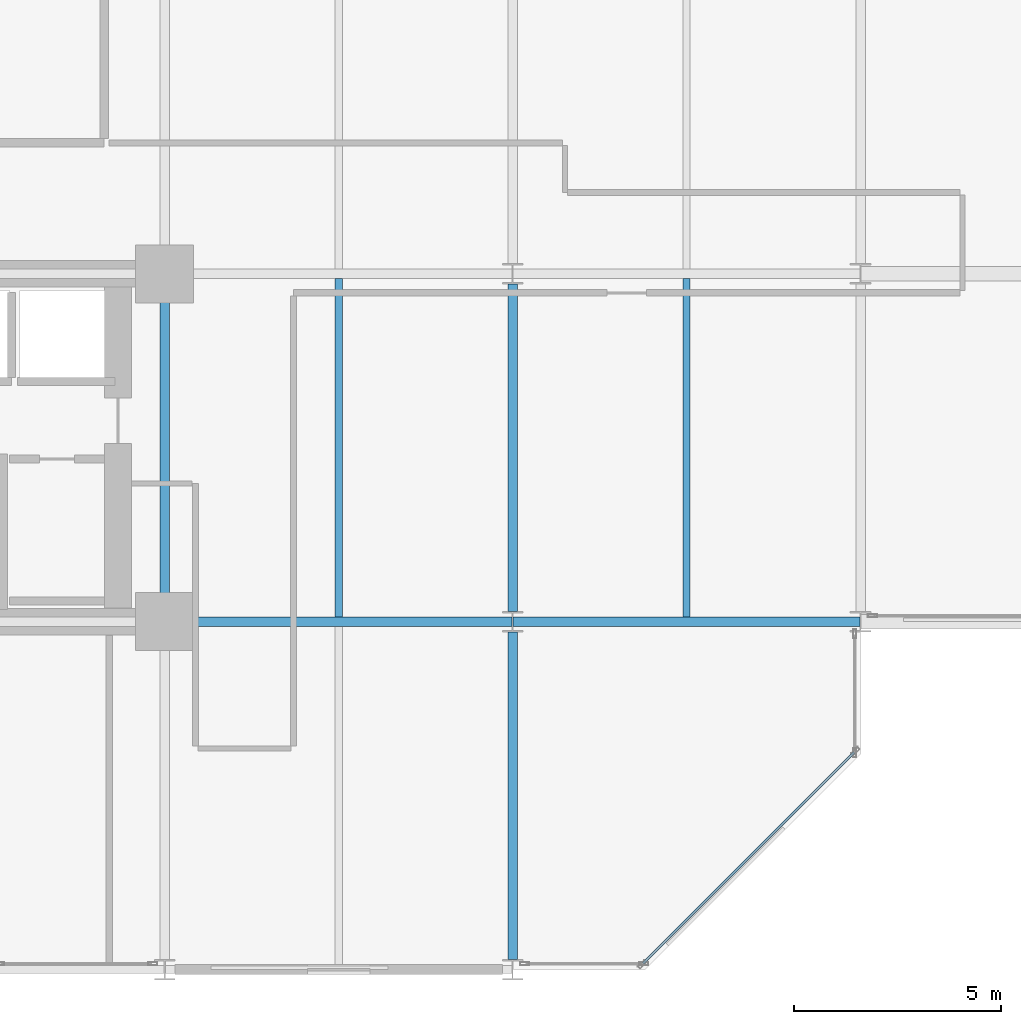
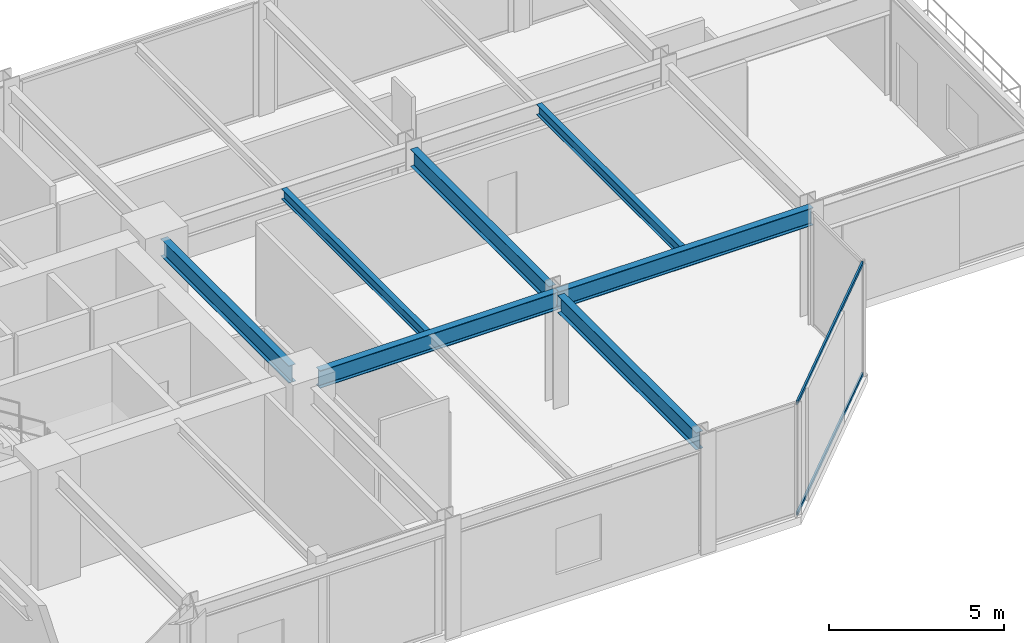
# One storey, part 12 of 26: 7 beams, 2 members, 1 element without a shape of its own.
"""IFC4 building model written with IfcOpenShell, lengths in metres."""

import ifcopenshell
import ifcopenshell.guid

model = None  # the IFC model being written
_history = None  # IfcOwnerHistory: only IFC2X3 demands one
_inside = {}  # id of a spatial element -> (the spatial element, [elements in it])
_under = {}  # id of a project, library or spatial element -> (it, [spatial elements below it])
_declared = {}  # id of a project -> (the project, [libraries it declares])
_typed = {}  # id of a type object -> (the type object, [elements of that type])
_made_of = {}  # id of a material, layer set ... -> (it, [elements and type objects made of it])


def new_model(schema):
    """Start an empty IFC model of exactly this schema.

    Asked for "IFC4X3", IfcOpenShell would pick the latest addendum, in which some entities
    have other attributes; the version numbers below select the first issue.
    IFC2X3 requires an IfcOwnerHistory on every rooted entity: one is made here for all.
    """
    global model, _history
    if schema == "IFC4X3":
        model = ifcopenshell.file(schema_version=(4, 3, 0, 0))
    else:
        model = ifcopenshell.file(schema=schema)
    _inside.clear()
    _under.clear()
    _declared.clear()
    _typed.clear()
    _made_of.clear()
    _history = None
    if model.schema == "IFC2X3":
        org = make("IfcOrganization", Name="unknown")
        user = make(
            "IfcPersonAndOrganization",
            ThePerson=make("IfcPerson", FamilyName="unknown"),
            TheOrganization=org,
        )
        app = make(
            "IfcApplication",
            ApplicationDeveloper=org,
            Version="unknown",
            ApplicationFullName="unknown",
            ApplicationIdentifier="unknown",
        )
        _history = make(
            "IfcOwnerHistory",
            OwningUser=user,
            OwningApplication=app,
            ChangeAction="ADDED",
            CreationDate=0,
        )
    return model


def make(cls, **values):
    """One entity of the class cls with the attributes given. An attribute that is None is left unset."""
    return model.create_entity(
        cls, **{name: value for name, value in values.items() if value is not None}
    )


def rooted(cls, **values):
    """An entity with a GlobalId (a new one), such as an element, a storey or a relation."""
    return make(cls, GlobalId=ifcopenshell.guid.new(), OwnerHistory=_history, **values)


def si_unit(unit_type, name, prefix=None):
    """IfcSIUnit, for example si_unit("LENGTHUNIT", "METRE", prefix="MILLI")."""
    return make("IfcSIUnit", UnitType=unit_type, Prefix=prefix, Name=name)


def assignment(units):
    """IfcUnitAssignment: the units of a project."""
    return None if units is None else make("IfcUnitAssignment", Units=units)


def point(xyz):
    """IfcCartesianPoint."""
    return None if xyz is None else make("IfcCartesianPoint", Coordinates=xyz)


def direction(xyz):
    """IfcDirection."""
    return None if xyz is None else make("IfcDirection", DirectionRatios=xyz)


def frame(location, z_axis=None, x_axis=None):
    """IfcAxis2Placement3D, a coordinate frame: its origin and axes. An axis left out is left unset."""
    return make(
        "IfcAxis2Placement3D",
        Location=point(location),
        Axis=direction(z_axis),
        RefDirection=direction(x_axis),
    )


def frame_2d(location, x_axis=None):
    """IfcAxis2Placement2D, a coordinate frame in the plane: its origin and x axis."""
    return make(
        "IfcAxis2Placement2D", Location=point(location), RefDirection=direction(x_axis)
    )


def origin():
    """The frame at (0, 0, 0) with its axes left unset."""
    return frame((0.0, 0.0, 0.0))


def origin_2d():
    """The frame at (0, 0) in the plane with its x axis left unset."""
    return frame_2d((0.0, 0.0))


def place(relative_to, where):
    """IfcLocalPlacement: puts the frame where relative to a parent placement (None: the world)."""
    return make(
        "IfcLocalPlacement", PlacementRelTo=relative_to, RelativePlacement=where
    )


def context(
    kind, dimensions, precision=None, world=None, true_north=None, identifier=None
):
    """IfcGeometricRepresentationContext, for example the 3D "Model" context."""
    return make(
        "IfcGeometricRepresentationContext",
        ContextIdentifier=identifier,
        ContextType=kind,
        CoordinateSpaceDimension=dimensions,
        Precision=precision,
        WorldCoordinateSystem=world,
        TrueNorth=true_north,
    )


def subcontext(parent, identifier, kind, view, scale=None):
    """IfcGeometricRepresentationSubContext, for example "Body" below "Model"."""
    return make(
        "IfcGeometricRepresentationSubContext",
        ContextIdentifier=identifier,
        ContextType=kind,
        ParentContext=parent,
        TargetScale=scale,
        TargetView=view,
    )


def project(units=None, contexts=None):
    """IfcProject with its units and contexts."""
    return rooted(
        "IfcProject",
        Name="project",
        RepresentationContexts=contexts,
        UnitsInContext=assignment(units),
    )


def spatial(cls, under=None, at=None, **own):
    """A site, building, storey or space (cls), placed at a placement, below another one or the project."""
    s = rooted(cls, ObjectPlacement=at, **own)
    if under is not None:
        _under.setdefault(under.id(), (under, []))[1].append(s)
    return s


def profile(cls, at=None, kind="AREA", **sizes):
    """A parametric profile (cls). Its sizes go by their IFC names, for example OverallWidth=200.0."""
    return make(cls, ProfileType=kind, Position=at, **sizes)


def hollow_rectangle(**sizes):
    """IfcRectangleHollowProfileDef."""
    return profile("IfcRectangleHollowProfileDef", **sizes)


def i_section(**sizes):
    """IfcIShapeProfileDef."""
    return profile("IfcIShapeProfileDef", **sizes)


def extrude(swept, where, along, depth):
    """IfcExtrudedAreaSolid: the profile swept, set in the frame where, extruded along a direction by depth."""
    return make(
        "IfcExtrudedAreaSolid",
        SweptArea=swept,
        Position=where,
        ExtrudedDirection=direction(along),
        Depth=depth,
    )


def shape(context_of_items, identifier, shape_type, items):
    """IfcShapeRepresentation: the items that make up one representation, for example the "Body"."""
    return make(
        "IfcShapeRepresentation",
        ContextOfItems=context_of_items,
        RepresentationIdentifier=identifier,
        RepresentationType=shape_type,
        Items=items,
    )


def material(Name=None, Category=None):
    """IfcMaterial."""
    return make("IfcMaterial", Name=Name, Category=Category)


def layer(
    of_material, thickness, ventilated=None, Name=None, Category=None, Priority=None
):
    """IfcMaterialLayer: one layer of a wall or slab, of a material (None: an air gap)."""
    return make(
        "IfcMaterialLayer",
        Material=of_material,
        LayerThickness=thickness,
        IsVentilated=ventilated,
        Name=Name,
        Category=Category,
        Priority=Priority,
    )


def layer_set(layers, Name=None):
    """IfcMaterialLayerSet."""
    return make("IfcMaterialLayerSet", MaterialLayers=layers, LayerSetName=Name)


def material_profile(
    of_material, cross_section, Name=None, Category=None, Priority=None
):
    """IfcMaterialProfile: a cross section and its material."""
    return make(
        "IfcMaterialProfile",
        Name=Name,
        Material=of_material,
        Profile=cross_section,
        Priority=Priority,
        Category=Category,
    )


def profile_set(profiles, Name=None, composite=None):
    """IfcMaterialProfileSet."""
    return make(
        "IfcMaterialProfileSet",
        Name=Name,
        MaterialProfiles=profiles,
        CompositeProfile=composite,
    )


def made_of(thing, what):
    """Note that an element or type object is made of a material, layer set ...; save() writes the relation."""
    if what is not None:
        _made_of.setdefault(what.id(), (what, []))[1].append(thing)
    return thing


def type_object(cls, material=None, **own):
    """A type object (cls), such as IfcWallType, which elements share."""
    return made_of(rooted(cls, **own), material)


def element(
    cls,
    number,
    at=None,
    inside=None,
    cuts=None,
    type_object=None,
    material=None,
    context=None,
    identifier="Body",
    shape_type=None,
    held_by="IfcProductDefinitionShape",
    body=None,
    shapes=None,
    **own,
):
    """One element of the class cls, such as IfcWall. Its Tag is "e" and its number.

    at: its placement. inside: the storey or other place that contains it. cuts: it is an
    opening in that element (IfcRelVoidsElement). A single representation is given by context,
    identifier, shape_type and body (its items); several are given by shapes. held_by: the class
    of the entity that holds the representations. save() writes the other relations.
    """
    e = rooted(cls, Tag="e%d" % number, ObjectPlacement=at, **own)
    if body is not None:
        shapes = [shape(context, identifier, shape_type, body)]
    if shapes is not None:
        e.Representation = make(held_by, Representations=shapes)
    if inside is not None:
        _inside.setdefault(inside.id(), (inside, []))[1].append(e)
    if cuts is not None:
        rooted(
            "IfcRelVoidsElement", RelatingBuildingElement=cuts, RelatedOpeningElement=e
        )
    if type_object is not None:
        _typed.setdefault(type_object.id(), (type_object, []))[1].append(e)
    return made_of(e, material)


def aggregate(whole, parts):
    """IfcRelAggregates: a whole, such as a stair, and the parts it consists of."""
    return rooted("IfcRelAggregates", RelatingObject=whole, RelatedObjects=parts)


def save(model, path):
    """Write the relations noted so far, then the file.

    IfcRelAggregates (storeys below a building ...), IfcRelContainedInSpatialStructure (elements
    in a storey), IfcRelDefinesByType, IfcRelAssociatesMaterial and IfcRelDeclares: one each for
    every whole, place, type object, material and project.
    """
    for whole, parts in _under.values():
        aggregate(whole, parts)
    for where, things in _inside.values():
        rooted(
            "IfcRelContainedInSpatialStructure",
            RelatedElements=things,
            RelatingStructure=where,
        )
    for kind, things in _typed.values():
        rooted("IfcRelDefinesByType", RelatedObjects=things, RelatingType=kind)
    for what, things in _made_of.values():
        rooted("IfcRelAssociatesMaterial", RelatedObjects=things, RelatingMaterial=what)
    for by, libraries in _declared.values():
        rooted("IfcRelDeclares", RelatingContext=by, RelatedDefinitions=libraries)
    model.write(path)


model = new_model("IFC4")

# Units and contexts
model_context = context("Model", 3, precision=1e-05, world=origin(), true_north=direction((0.0, 1.0)))
body_context = subcontext(model_context, "Body", "Model", "MODEL_VIEW")
ifc_project = project(units=[si_unit("LENGTHUNIT", "METRE"), si_unit("AREAUNIT", "SQUARE_METRE"), si_unit("VOLUMEUNIT", "CUBIC_METRE"), si_unit("PLANEANGLEUNIT", "RADIAN"), si_unit("MASSUNIT", "GRAM", prefix="KILO")], contexts=[model_context])

# Site, building, storey
site_placement = place(None, origin())
site = spatial("IfcSite", under=ifc_project, at=site_placement, CompositionType="ELEMENT")
building_placement = place(site_placement, origin())
building = spatial("IfcBuilding", under=site, at=building_placement, Name="Nerrivon Quay Data Exchange", CompositionType="ELEMENT")
storey_placement = place(building_placement, frame((0.0, 0.0, 71.0)))
storey = spatial("IfcBuildingStorey", under=building, at=storey_placement, Name="L16", CompositionType="ELEMENT", Elevation=71.0)

# Beams
ifc_material_1 = material(Name="Steel Grade 350", Category="steel")
ifc_material_profile_1 = material_profile(ifc_material_1, i_section(OverallWidth=0.22900390625, OverallDepth=0.612060546875, WebThickness=0.011962890625, FlangeThickness=0.01953125, FilletRadius=0.013916015625, at=origin_2d()), Name="610UB125")
ifc_profile_set_1 = profile_set([ifc_material_profile_1], Name="Steel Grade 350")
beam_type_1 = type_object("IfcBeamType", Name="BM-G1-610UB125", PredefinedType="BEAM", material=ifc_profile_set_1)
beam_1_placement = place(storey_placement, frame((34.139892578125, 8.39990234375, 3.618896484375), z_axis=(1.0, 0.0, 0.0), x_axis=(0.0, 1.0, 0.0)))
element("IfcBeam", 1, at=beam_1_placement, inside=storey, type_object=beam_type_1, Name="L16 EW Girder Y=8.4 (33.6..42.0)", PredefinedType="BEAM", context=body_context, shape_type="SweptSolid", body=[
    extrude(i_section(OverallWidth=0.22900390625, OverallDepth=0.612060546875, WebThickness=0.011962890625, FlangeThickness=0.01953125, FilletRadius=0.013916015625, at=origin_2d()), origin(), (0.0, 0.0, 1.0), 7.84619140625),
])
beam_2_placement = place(storey_placement, frame((42.013916015625, 8.39990234375, 3.618896484375), z_axis=(1.0, 0.0, 0.0), x_axis=(0.0, 1.0, 0.0)))
element("IfcBeam", 2, at=beam_2_placement, inside=storey, type_object=beam_type_1, Name="L16 EW Girder Y=8.4 (42.0..50.4)", PredefinedType="BEAM", context=body_context, shape_type="SweptSolid", body=[
    extrude(i_section(OverallWidth=0.22900390625, OverallDepth=0.612060546875, WebThickness=0.011962890625, FlangeThickness=0.01953125, FilletRadius=0.013916015625, at=origin_2d()), origin(), (0.0, 0.0, 1.0), 8.3720703125),
])
ifc_material_profile_2 = material_profile(ifc_material_1, i_section(OverallWidth=0.22802734375, OverallDepth=0.60205078125, WebThickness=0.010498046875, FlangeThickness=0.014892578125, FilletRadius=0.013916015625, at=origin_2d()), Name="610UB101")
ifc_profile_set_2 = profile_set([ifc_material_profile_2], Name="Steel Grade 350")
beam_type_2 = type_object("IfcBeamType", Name="BM-G2-610UB101", PredefinedType="BEAM", material=ifc_profile_set_2)
beam_3_placement = place(storey_placement, frame((33.60009765625, 8.93994140625, 3.6240234375), z_axis=(0.0, 1.0, 0.0), x_axis=(-1.0, 0.0, 0.0)))
element("IfcBeam", 3, at=beam_3_placement, inside=storey, type_object=beam_type_2, Name="L16 NS Girder X=33.6 (8.4..16.8)", PredefinedType="BEAM", context=body_context, shape_type="SweptSolid", body=[
    extrude(i_section(OverallWidth=0.22802734375, OverallDepth=0.60205078125, WebThickness=0.010498046875, FlangeThickness=0.014892578125, FilletRadius=0.013916015625, at=origin_2d()), origin(), (0.0, 0.0, 1.0), 7.320068359375),
])
beam_4_placement = place(storey_placement, frame((42.0, 0.25, 3.6240234375), z_axis=(0.0, 1.0, 0.0), x_axis=(-1.0, 0.0, 0.0)))
element("IfcBeam", 4, at=beam_4_placement, inside=storey, type_object=beam_type_2, Name="L16 NS Girder X=42.0 (0.0..8.4)", PredefinedType="BEAM", context=body_context, shape_type="SweptSolid", body=[
    extrude(i_section(OverallWidth=0.22802734375, OverallDepth=0.60205078125, WebThickness=0.010498046875, FlangeThickness=0.014892578125, FilletRadius=0.013916015625, at=origin_2d()), origin(), (0.0, 0.0, 1.0), 7.89990234375),
])
beam_5_placement = place(storey_placement, frame((42.0, 8.64990234375, 3.6240234375), z_axis=(0.0, 1.0, 0.0), x_axis=(-1.0, 0.0, 0.0)))
element("IfcBeam", 5, at=beam_5_placement, inside=storey, type_object=beam_type_2, Name="L16 NS Girder X=42.0 (8.4..16.8)", PredefinedType="BEAM", context=body_context, shape_type="SweptSolid", body=[
    extrude(i_section(OverallWidth=0.22802734375, OverallDepth=0.60205078125, WebThickness=0.010498046875, FlangeThickness=0.014892578125, FilletRadius=0.013916015625, at=origin_2d()), origin(), (0.0, 0.0, 1.0), 7.900146484375),
])
ifc_material_profile_3 = material_profile(ifc_material_1, i_section(OverallWidth=0.172119140625, OverallDepth=0.35888671875, WebThickness=0.008056640625, FlangeThickness=0.012939453125, FilletRadius=0.011474609375, at=origin_2d()), Name="360UB56.7")
ifc_profile_set_3 = profile_set([ifc_material_profile_3], Name="Steel Grade 350")
beam_type_3 = type_object("IfcBeamType", Name="BM-J3-360UB57", PredefinedType="JOIST", material=ifc_profile_set_3)
for number, where, z_axis, x_axis, name in (
    (6, (37.800048828125, 8.514404296875, 3.74560546875), (0.0, 1.0, 0.0), (-1.0, 0.0, 0.0), "L16 Secondary Joist X=37.8 (8.4..16.8)"),
    (7, (46.199951171875, 8.514404296875, 3.74560546875), (0.0, 1.0, 0.0), (-1.0, 0.0, 0.0), "L16 Secondary Joist X=46.2 (8.4..16.8)"),
):
    element("IfcBeam", number, at=place(storey_placement, frame(where, z_axis=z_axis, x_axis=x_axis)), inside=storey, type_object=beam_type_3, Name=name, PredefinedType="JOIST", context=body_context, shape_type="SweptSolid", body=[
        extrude(i_section(OverallWidth=0.172119140625, OverallDepth=0.35888671875, WebThickness=0.008056640625, FlangeThickness=0.012939453125, FilletRadius=0.011474609375, at=origin_2d()), origin(), (0.0, 0.0, 1.0), 8.171142578125),
    ])

# Curtain wall, members
ifc_material_2 = material(Name="Anodised aluminium 6063-T6", Category="aluminium")
ifc_layer = layer(ifc_material_2, 0.219970703125)
ifc_layer_set = layer_set([ifc_layer], Name="Anodised aluminium 6063-T6")
curtain_wall_type = type_object("IfcCurtainWallType", Name="CW-SYS-01", PredefinedType="NOTDEFINED", material=ifc_layer_set)
curtain_wall_placement = place(storey_placement, origin())
curtain_wall = element("IfcCurtainWall", 8, at=curtain_wall_placement, inside=storey, type_object=curtain_wall_type, Name="L16 Unitised Curtain Wall 5", PredefinedType="NOTDEFINED")
ifc_material_profile_4 = material_profile(ifc_material_2, hollow_rectangle(XDim=0.06005859375, YDim=0.1201171875, WallThickness=0.003173828125, at=origin_2d()), Name="ALU-TRAN-120x60")
ifc_profile_set_4 = profile_set([ifc_material_profile_4], Name="Anodised aluminium 6063-T6")
member_type = type_object("IfcMemberType", Name="CWT-120x60", PredefinedType="USERDEFINED", material=ifc_profile_set_4)
member_1_placement = place(storey_placement, frame((50.248046875, 5.245849609375, 0.032470703125), z_axis=(-0.707123726196, -0.707089835771, 0.0), x_axis=(0.707089835771, -0.707123726196, 0.0)))
member_1 = element("IfcMember", 9, at=member_1_placement, type_object=member_type, Name="CW01 transom 1.1", ObjectType="TRANSOM", PredefinedType="USERDEFINED", context=body_context, shape_type="SweptSolid", body=[
    extrude(hollow_rectangle(XDim=0.06005859375, YDim=0.1201171875, WallThickness=0.003173828125, at=origin_2d()), origin(), (0.0, 0.0, 1.0), 7.203857421875),
])
member_2_placement = place(storey_placement, frame((50.248046875, 5.245849609375, 3.892578125), z_axis=(-0.707123726196, -0.707089835771, 0.0), x_axis=(0.707089835771, -0.707123726196, 0.0)))
member_2 = element("IfcMember", 10, at=member_2_placement, type_object=member_type, Name="CW01 transom 1.2", ObjectType="TRANSOM", PredefinedType="USERDEFINED", context=body_context, shape_type="SweptSolid", body=[
    extrude(hollow_rectangle(XDim=0.06005859375, YDim=0.1201171875, WallThickness=0.003173828125, at=origin_2d()), origin(), (0.0, 0.0, 1.0), 7.203857421875),
])
aggregate(curtain_wall, [member_1, member_2])

save(model, "model.ifc")
